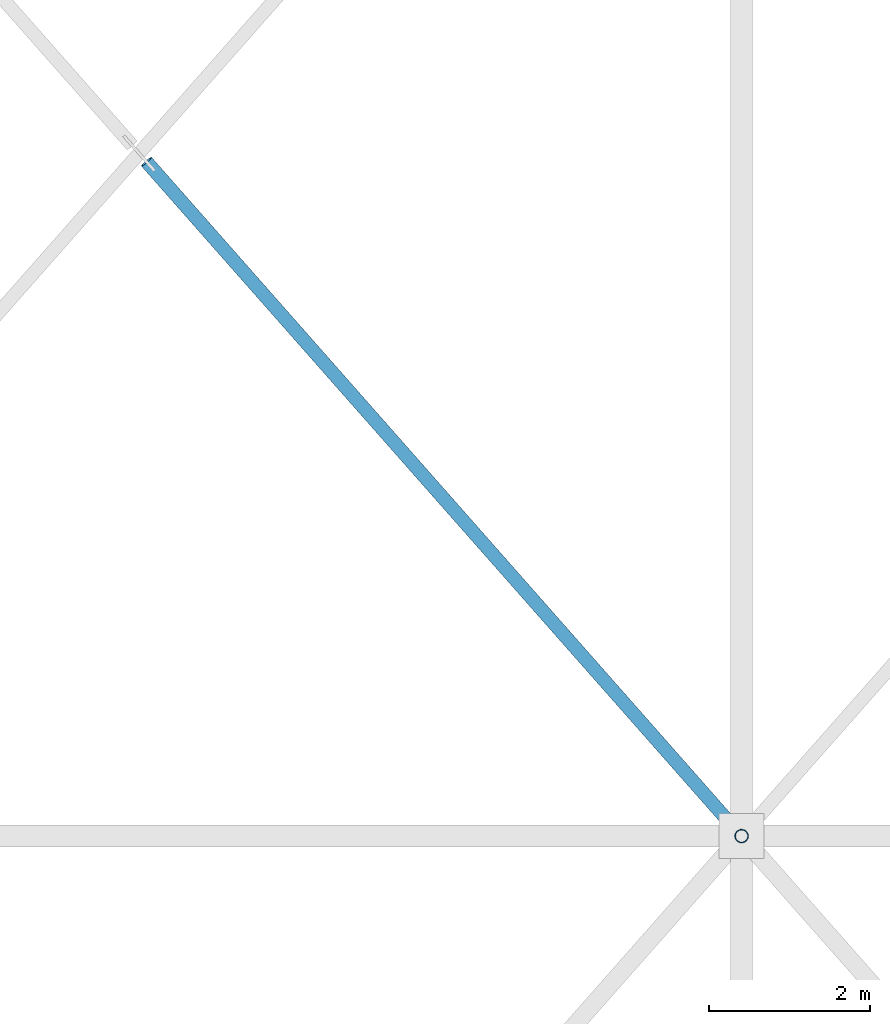
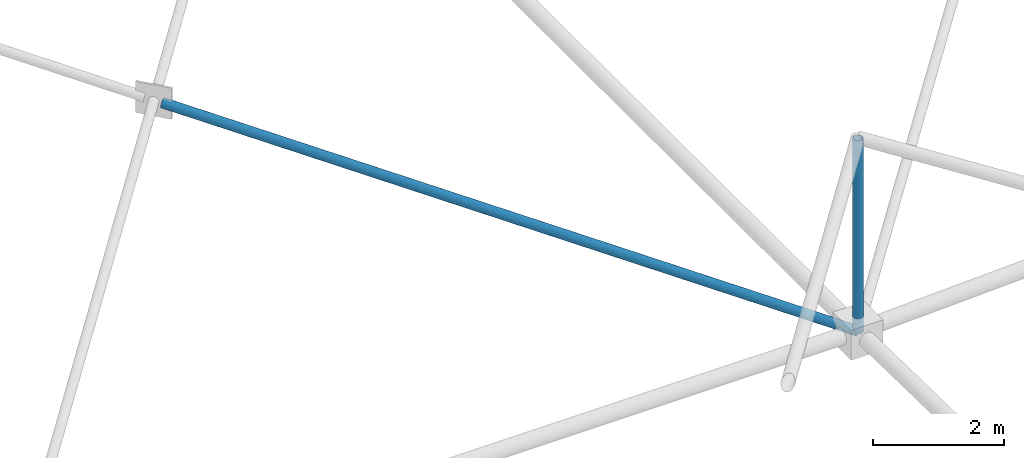
# One storey, part 60 of 224: 2 members.
"""IFC4 building model written with IfcOpenShell, lengths in metres."""

from ifc_helpers import new_model, si_unit, direction, frame, origin, origin_2d, place, context, subcontext, project, spatial, hollow_circle, extrude, material, material_profile, profile_set, type_object, element, save


model = new_model("IFC4")

# Units and contexts
model_context = context("Model", 3, precision=1e-05, world=origin(), true_north=direction((0.0, 1.0)))
body_context = subcontext(model_context, "Body", "Model", "MODEL_VIEW")
ifc_project = project(units=[si_unit("LENGTHUNIT", "METRE"), si_unit("AREAUNIT", "SQUARE_METRE"), si_unit("VOLUMEUNIT", "CUBIC_METRE"), si_unit("PLANEANGLEUNIT", "RADIAN"), si_unit("MASSUNIT", "GRAM", prefix="KILO")], contexts=[model_context])

# Site, building, storey
site_placement = place(None, origin())
site = spatial("IfcSite", under=ifc_project, at=site_placement, CompositionType="ELEMENT")
building_placement = place(site_placement, origin())
building = spatial("IfcBuilding", under=site, at=building_placement, Name="Qamarlyn Nura Convention Centre", CompositionType="ELEMENT")
storey_placement = place(building_placement, frame((0.0, 0.0, 10.800048828125)))
storey = spatial("IfcBuildingStorey", under=building, at=storey_placement, Name="L02", CompositionType="ELEMENT", Elevation=10.800048828125)

# Members
ifc_material = material(Name="Pearl-white PVDF steel ASTM A500 Grade C", Category="steel")
ifc_material_profile = material_profile(ifc_material, hollow_circle(Radius=0.084228515625, WallThickness=0.008056640625, at=origin_2d()), Name="CHS168.3X8")
ifc_profile_set = profile_set([ifc_material_profile], Name="Pearl-white PVDF steel ASTM A500 Grade C")
member_type = type_object("IfcMemberType", Name="SF-WEB-STD", PredefinedType="BRACE", material=ifc_profile_set)
member_1_placement = place(storey_placement, frame((90.0, 35.0, 0.828857421875), z_axis=(-0.653627721832, 0.740778084743, 0.154979451593), x_axis=(-0.749837855365, -0.661621637087, 0.0)))
element("IfcMember", 1, at=member_1_placement, inside=storey, type_object=member_type, Name="ROOF TRUSS space frame split diagonal B1 7-3", PredefinedType="BRACE", context=body_context, shape_type="SweptSolid", body=[
    extrude(hollow_circle(Radius=0.084228515625, WallThickness=0.008056640625, at=origin_2d()), origin(), (0.0, 0.0, 1.0), 11.33447265625),
])
member_2_placement = place(storey_placement, frame((90.0, 35.0, 0.828857421875), z_axis=(0.0, 0.0, 1.0), x_axis=(1.0, 0.0, 0.0)))
element("IfcMember", 2, at=member_2_placement, inside=storey, type_object=member_type, Name="ROOF TRUSS space frame vertical 8-3", PredefinedType="BRACE", context=body_context, shape_type="SweptSolid", body=[
    extrude(hollow_circle(Radius=0.084228515625, WallThickness=0.008056640625, at=origin_2d()), origin(), (0.0, 0.0, 1.0), 3.60009765625),
])

save(model, "model.ifc")
